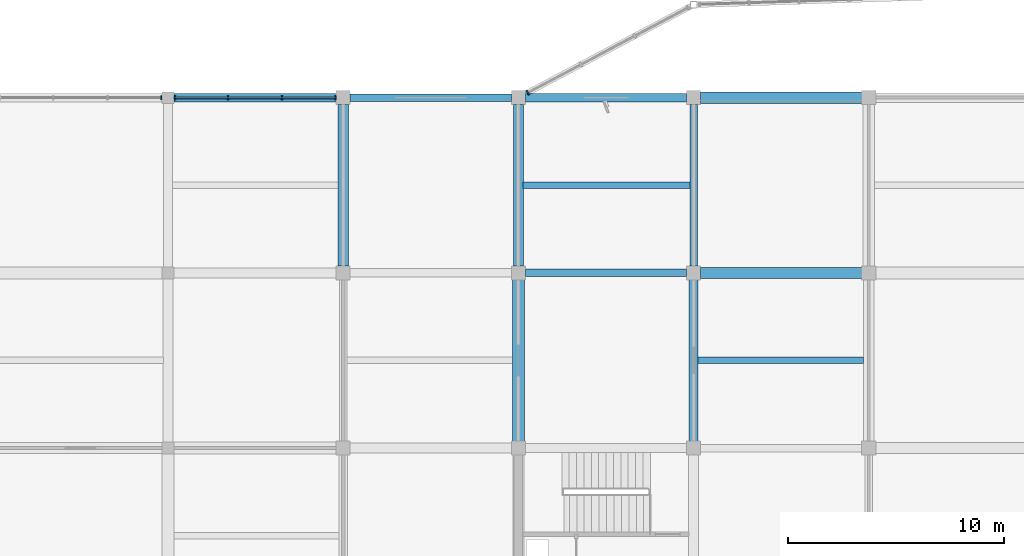
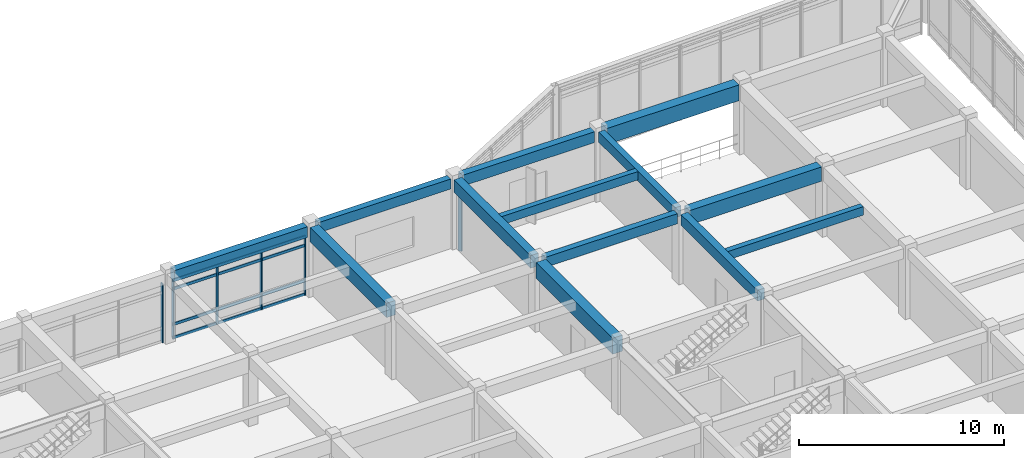
# One storey, part 19 of 42: 13 beams, 10 members, 3 elements without a shape of their own.
"""IFC4 building model written with IfcOpenShell, lengths in metres."""

from ifc_helpers import new_model, si_unit, direction, frame, origin, origin_2d, place, context, subcontext, project, spatial, rectangle, extrude, material, layer, layer_set, material_profile, profile_set, type_object, element, aggregate, save


model = new_model("IFC4")

# Units and contexts
model_context = context("Model", 3, precision=1e-05, world=origin(), true_north=direction((0.0, 1.0)))
body_context = subcontext(model_context, "Body", "Model", "MODEL_VIEW")
ifc_project = project(units=[si_unit("LENGTHUNIT", "METRE"), si_unit("AREAUNIT", "SQUARE_METRE"), si_unit("VOLUMEUNIT", "CUBIC_METRE"), si_unit("PLANEANGLEUNIT", "RADIAN"), si_unit("MASSUNIT", "GRAM", prefix="KILO")], contexts=[model_context])

# Site, building, storey
site_placement = place(None, origin())
site = spatial("IfcSite", under=ifc_project, at=site_placement, CompositionType="ELEMENT")
building_placement = place(site_placement, origin())
building = spatial("IfcBuilding", under=site, at=building_placement, Name="Vaudrelin Polytechnic", CompositionType="ELEMENT")
storey_placement = place(building_placement, frame((0.0, 0.0, 18.530029296875)))
storey = spatial("IfcBuildingStorey", under=building, at=storey_placement, Name="L04", CompositionType="ELEMENT", Elevation=18.530029296875)

# Beams
ifc_material_1 = material(Name="Concrete 40 MPa", Category="concrete")
ifc_material_profile_1 = material_profile(ifc_material_1, rectangle(XDim=0.35009765625, YDim=0.60009765625, at=origin_2d()), Name="RC350x600")
ifc_profile_set_1 = profile_set([ifc_material_profile_1], Name="Concrete 40 MPa")
beam_type_1 = type_object("IfcBeamType", Name="BM-BM-RC3560", PredefinedType="BEAM", material=ifc_profile_set_1)
beam_1_placement = place(storey_placement, frame((153.89990234375, 113.7099609375, 3.85986328125), z_axis=(0.0, 1.0, 0.0), x_axis=(-1.0, 0.0, 0.0)))
element("IfcBeam", 1, at=beam_1_placement, inside=storey, type_object=beam_type_1, Name="L04 Y-beam 20-15", PredefinedType="BEAM", context=body_context, shape_type="SweptSolid", body=[
    extrude(rectangle(XDim=0.35009765625, YDim=0.60009765625, at=origin_2d()), origin(), (0.0, 0.0, 1.0), 7.47998046875),
])
for number, where, z_axis, x_axis, name in (
    (2, (138.02099609375, 121.5, 3.85986328125), (1.0, 0.0, 0.0), (0.0, 1.0, 0.0), "L04 X-beam 18-16"),
    (3, (146.12109375, 113.39990234375, 3.85986328125), (1.0, 0.0, 0.0), (0.0, 1.0, 0.0), "L04 X-beam 19-15"),
):
    element("IfcBeam", number, at=place(storey_placement, frame(where, z_axis=z_axis, x_axis=x_axis)), inside=storey, type_object=beam_type_1, Name=name, PredefinedType="BEAM", context=body_context, shape_type="SweptSolid", body=[
        extrude(rectangle(XDim=0.35009765625, YDim=0.60009765625, at=origin_2d()), origin(), (0.0, 0.0, 1.0), 7.4580078125),
    ])
ifc_material_profile_2 = material_profile(ifc_material_1, rectangle(XDim=0.39990234375, YDim=0.64990234375, at=origin_2d()), Name="RC400x650")
ifc_profile_set_2 = profile_set([ifc_material_profile_2], Name="Concrete 40 MPa")
beam_type_2 = type_object("IfcBeamType", Name="BM-BM-RC4065", PredefinedType="BEAM", material=ifc_profile_set_2)
beam_2_placement = place(storey_placement, frame((153.89990234375, 105.610107421875, 3.8349609375), z_axis=(0.0, 1.0, 0.0), x_axis=(-1.0, 0.0, 0.0)))
element("IfcBeam", 4, at=beam_2_placement, inside=storey, type_object=beam_type_2, Name="L04 Y-beam 20-14", PredefinedType="BEAM", context=body_context, shape_type="SweptSolid", body=[
    extrude(rectangle(XDim=0.39990234375, YDim=0.64990234375, at=origin_2d()), origin(), (0.0, 0.0, 1.0), 7.47998046875),
])
beam_3_placement = place(storey_placement, frame((129.87109375, 121.5, 3.8349609375), z_axis=(1.0, 0.0, 0.0), x_axis=(0.0, 1.0, 0.0)))
element("IfcBeam", 5, at=beam_3_placement, inside=storey, type_object=beam_type_2, Name="L04 X-beam 17-16", PredefinedType="BEAM", context=body_context, shape_type="SweptSolid", body=[
    extrude(rectangle(XDim=0.39990234375, YDim=0.64990234375, at=origin_2d()), origin(), (0.0, 0.0, 1.0), 7.5078125),
])
ifc_material_profile_3 = material_profile(ifc_material_1, rectangle(XDim=0.449951171875, YDim=0.75, at=origin_2d()), Name="RC450x750")
ifc_profile_set_3 = profile_set([ifc_material_profile_3], Name="Concrete 40 MPa")
beam_type_3 = type_object("IfcBeamType", Name="BM-BM-RC4575", PredefinedType="BEAM", material=ifc_profile_set_3)
beam_4_placement = place(storey_placement, frame((145.800048828125, 113.7099609375, 3.784912109375), z_axis=(0.0, 1.0, 0.0), x_axis=(-1.0, 0.0, 0.0)))
element("IfcBeam", 6, at=beam_4_placement, inside=storey, type_object=beam_type_3, Name="L04 Y-beam 19-15", PredefinedType="BEAM", context=body_context, shape_type="SweptSolid", body=[
    extrude(rectangle(XDim=0.449951171875, YDim=0.75, at=origin_2d()), origin(), (0.0, 0.0, 1.0), 7.47998046875),
])
ifc_material_profile_4 = material_profile(ifc_material_1, rectangle(XDim=0.5, YDim=0.85009765625, at=origin_2d()), Name="RC500x850")
ifc_profile_set_4 = profile_set([ifc_material_profile_4], Name="Concrete 40 MPa")
beam_type_4 = type_object("IfcBeamType", Name="BM-BM-RC5085", PredefinedType="BEAM", material=ifc_profile_set_4)
beam_5_placement = place(storey_placement, frame((137.699951171875, 113.7099609375, 3.73486328125), z_axis=(0.0, 1.0, 0.0), x_axis=(-1.0, 0.0, 0.0)))
element("IfcBeam", 7, at=beam_5_placement, inside=storey, type_object=beam_type_4, Name="L04 Y-beam 18-15", PredefinedType="BEAM", context=body_context, shape_type="SweptSolid", body=[
    extrude(rectangle(XDim=0.5, YDim=0.85009765625, at=origin_2d()), origin(), (0.0, 0.0, 1.0), 7.47998046875),
])
beam_6_placement = place(storey_placement, frame((154.220947265625, 113.39990234375, 3.73486328125), z_axis=(1.0, 0.0, 0.0), x_axis=(0.0, 1.0, 0.0)))
element("IfcBeam", 8, at=beam_6_placement, inside=storey, type_object=beam_type_4, Name="L04 X-beam 20-15", PredefinedType="BEAM", context=body_context, shape_type="SweptSolid", body=[
    extrude(rectangle(XDim=0.5, YDim=0.85009765625, at=origin_2d()), origin(), (0.0, 0.0, 1.0), 7.4580078125),
])
ifc_material_2 = material(Name="Concrete 50 MPa", Category="concrete")
ifc_material_profile_5 = material_profile(ifc_material_2, rectangle(XDim=0.550048828125, YDim=0.949951171875, at=origin_2d()), Name="RC550x950")
ifc_profile_set_5 = profile_set([ifc_material_profile_5], Name="Concrete 50 MPa")
beam_type_5 = type_object("IfcBeamType", Name="BM-BM-RC5595", PredefinedType="BEAM", material=ifc_profile_set_5)
beam_7_placement = place(storey_placement, frame((145.800048828125, 105.610107421875, 3.68505859375), z_axis=(0.0, 1.0, 0.0), x_axis=(-1.0, 0.0, 0.0)))
element("IfcBeam", 9, at=beam_7_placement, inside=storey, type_object=beam_type_5, Name="L04 Y-beam 19-14", PredefinedType="BEAM", context=body_context, shape_type="SweptSolid", body=[
    extrude(rectangle(XDim=0.550048828125, YDim=0.949951171875, at=origin_2d()), origin(), (0.0, 0.0, 1.0), 7.47998046875),
])
beam_8_placement = place(storey_placement, frame((154.220947265625, 121.5, 3.68505859375), z_axis=(1.0, 0.0, 0.0), x_axis=(0.0, 1.0, 0.0)))
element("IfcBeam", 10, at=beam_8_placement, inside=storey, type_object=beam_type_5, Name="L04 X-beam 20-16", PredefinedType="BEAM", context=body_context, shape_type="SweptSolid", body=[
    extrude(rectangle(XDim=0.550048828125, YDim=0.949951171875, at=origin_2d()), origin(), (0.0, 0.0, 1.0), 7.4580078125),
])
ifc_material_profile_6 = material_profile(ifc_material_1, rectangle(XDim=0.300048828125, YDim=0.5, at=origin_2d()), Name="RC300x500")
ifc_profile_set_6 = profile_set([ifc_material_profile_6], Name="Concrete 40 MPa")
beam_type_6 = type_object("IfcBeamType", Name="BM-JS-RC3050", PredefinedType="JOIST", material=ifc_profile_set_6)
beam_9_placement = place(storey_placement, frame((146.02099609375, 117.449951171875, 3.909912109375), z_axis=(1.0, 0.0, 0.0), x_axis=(0.0, 1.0, 0.0)))
element("IfcBeam", 11, at=beam_9_placement, inside=storey, type_object=beam_type_6, Name="L04 floor joist 19-15", PredefinedType="JOIST", context=body_context, shape_type="SweptSolid", body=[
    extrude(rectangle(XDim=0.300048828125, YDim=0.5, at=origin_2d()), origin(), (0.0, 0.0, 1.0), 7.7080078125),
])
beam_10_placement = place(storey_placement, frame((154.095947265625, 109.35009765625, 3.909912109375), z_axis=(1.0, 0.0, 0.0), x_axis=(0.0, 1.0, 0.0)))
element("IfcBeam", 12, at=beam_10_placement, inside=storey, type_object=beam_type_6, Name="L04 floor joist 20-14", PredefinedType="JOIST", context=body_context, shape_type="SweptSolid", body=[
    extrude(rectangle(XDim=0.300048828125, YDim=0.5, at=origin_2d()), origin(), (0.0, 0.0, 1.0), 7.657958984375),
])
ifc_material_profile_7 = material_profile(ifc_material_1, rectangle(XDim=0.39990234375, YDim=0.64990234375, at=origin_2d()), Name="RC400x650")
ifc_profile_set_7 = profile_set([ifc_material_profile_7], Name="Concrete 40 MPa")
beam_type_7 = type_object("IfcBeamType", Name="BM-SP-RC4065", PredefinedType="SPANDREL", material=ifc_profile_set_7)
beam_11_placement = place(storey_placement, frame((146.12109375, 121.5, 3.8349609375), z_axis=(1.0, 0.0, 0.0), x_axis=(0.0, 1.0, 0.0)))
element("IfcBeam", 13, at=beam_11_placement, inside=storey, type_object=beam_type_7, Name="L04 X-beam 19-16", PredefinedType="SPANDREL", context=body_context, shape_type="SweptSolid", body=[
    extrude(rectangle(XDim=0.39990234375, YDim=0.64990234375, at=origin_2d()), origin(), (0.0, 0.0, 1.0), 7.4580078125),
])

# Curtain wall, member
ifc_material_3 = material(Name="Thermally broken anodised aluminium AA 6063-T6 and low-e triple glazing", Category="aluminium")
ifc_layer_1 = layer(ifc_material_3, 0.199951171875)
ifc_layer_set_1 = layer_set([ifc_layer_1], Name="Thermally broken anodised aluminium AA 6063-T6 and low-e triple glazing")
curtain_wall_type_1 = type_object("IfcCurtainWallType", Name="CW-CW-STU", PredefinedType="USERDEFINED", material=ifc_layer_set_1)
curtain_wall_1_placement = place(storey_placement, origin())
curtain_wall_1 = element("IfcCurtainWall", 14, at=curtain_wall_1_placement, inside=storey, type_object=curtain_wall_type_1, Name="Curtain wall L04 N_V5_15", ObjectType="CURTAIN WALL", PredefinedType="USERDEFINED")
ifc_material_4 = material(Name="Anodised aluminium AA 6063-T6", Category="aluminium")
ifc_material_profile_8 = material_profile(ifc_material_4, rectangle(XDim=0.06494140625, YDim=0.179931640625, at=origin_2d()), Name="CWM-65x180")
ifc_profile_set_8 = profile_set([ifc_material_profile_8], Name="Anodised aluminium AA 6063-T6")
member_type_1 = type_object("IfcMemberType", Name="MEM-CWM-180", PredefinedType="MULLION", material=ifc_profile_set_8)
member_1_placement = place(storey_placement, frame((129.287109375, 121.5, 0.0), z_axis=(0.0, 0.0, 1.0), x_axis=(1.0, 0.0, 0.0)))
member_1 = element("IfcMember", 15, at=member_1_placement, type_object=member_type_1, Name="N_V5_15 mullion 4", PredefinedType="MULLION", context=body_context, shape_type="SweptSolid", body=[
    extrude(rectangle(XDim=0.06494140625, YDim=0.179931640625, at=origin_2d()), origin(), (0.0, 0.0, 1.0), 3.511962890625),
])
aggregate(curtain_wall_1, [member_1])

# Curtain wall, members
curtain_wall_2_placement = place(storey_placement, origin())
curtain_wall_2 = element("IfcCurtainWall", 16, at=curtain_wall_2_placement, inside=storey, type_object=curtain_wall_type_1, Name="Curtain wall L04 N_V5_16", ObjectType="CURTAIN WALL", PredefinedType="USERDEFINED")
member_2_placement = place(storey_placement, frame((129.9130859375, 121.5, 0.0), z_axis=(0.0, 0.0, 1.0), x_axis=(1.0, 0.0, 0.0)))
member_2 = element("IfcMember", 17, at=member_2_placement, type_object=member_type_1, Name="N_V5_16 mullion 1", PredefinedType="MULLION", context=body_context, shape_type="SweptSolid", body=[
    extrude(rectangle(XDim=0.06494140625, YDim=0.179931640625, at=origin_2d()), origin(), (0.0, 0.0, 1.0), 3.511962890625),
])
member_3_placement = place(storey_placement, frame((132.374267578125, 121.5, 0.0), z_axis=(0.0, 0.0, 1.0), x_axis=(1.0, 0.0, 0.0)))
member_3 = element("IfcMember", 18, at=member_3_placement, type_object=member_type_1, Name="N_V5_16 mullion 2", PredefinedType="MULLION", context=body_context, shape_type="SweptSolid", body=[
    extrude(rectangle(XDim=0.06494140625, YDim=0.179931640625, at=origin_2d()), origin(), (0.0, 0.0, 1.0), 3.511962890625),
])
member_4_placement = place(storey_placement, frame((134.875732421875, 121.5, 0.0), z_axis=(0.0, 0.0, 1.0), x_axis=(1.0, 0.0, 0.0)))
member_4 = element("IfcMember", 19, at=member_4_placement, type_object=member_type_1, Name="N_V5_16 mullion 3", PredefinedType="MULLION", context=body_context, shape_type="SweptSolid", body=[
    extrude(rectangle(XDim=0.06494140625, YDim=0.179931640625, at=origin_2d()), origin(), (0.0, 0.0, 1.0), 3.511962890625),
])
member_5_placement = place(storey_placement, frame((137.3369140625, 121.5, 0.0), z_axis=(0.0, 0.0, 1.0), x_axis=(1.0, 0.0, 0.0)))
member_5 = element("IfcMember", 20, at=member_5_placement, type_object=member_type_1, Name="N_V5_16 mullion 4", PredefinedType="MULLION", context=body_context, shape_type="SweptSolid", body=[
    extrude(rectangle(XDim=0.06494140625, YDim=0.179931640625, at=origin_2d()), origin(), (0.0, 0.0, 1.0), 3.511962890625),
])

# Curtain wall, member
ifc_layer_2 = layer(ifc_material_3, 0.199951171875)
ifc_layer_set_2 = layer_set([ifc_layer_2], Name="Thermally broken anodised aluminium AA 6063-T6 and low-e triple glazing")
curtain_wall_type_2 = type_object("IfcCurtainWallType", Name="CW-CW-LAB", PredefinedType="USERDEFINED", material=ifc_layer_set_2)
curtain_wall_3_placement = place(storey_placement, origin())
curtain_wall_3 = element("IfcCurtainWall", 21, at=curtain_wall_3_placement, inside=storey, type_object=curtain_wall_type_2, Name="Curtain wall L04 NEP_1_0", ObjectType="CURTAIN WALL", PredefinedType="USERDEFINED")
ifc_material_profile_9 = material_profile(ifc_material_4, rectangle(XDim=0.074951171875, YDim=0.219970703125, at=origin_2d()), Name="CWM-75x220")
ifc_profile_set_9 = profile_set([ifc_material_profile_9], Name="Anodised aluminium AA 6063-T6")
member_type_2 = type_object("IfcMemberType", Name="MEM-CWM-220", PredefinedType="MULLION", material=ifc_profile_set_9)
member_6_placement = place(storey_placement, frame((146.2353515625, 121.731201171875, -0.630126953125), z_axis=(0.0, 0.0, 1.0), x_axis=(0.883255715395, 0.468891609246, 0.0)))
member_6 = element("IfcMember", 22, at=member_6_placement, type_object=member_type_2, Name="NEP_1_0 mullion 1", PredefinedType="MULLION", context=body_context, shape_type="SweptSolid", body=[
    extrude(rectangle(XDim=0.074951171875, YDim=0.219970703125, at=origin_2d()), origin(), (0.0, 0.0, 1.0), 4.440185546875),
])
aggregate(curtain_wall_3, [member_6])

# Member
ifc_material_profile_10 = material_profile(ifc_material_4, rectangle(XDim=0.074951171875, YDim=0.1650390625, at=origin_2d()), Name="CWT-75x165")
ifc_profile_set_10 = profile_set([ifc_material_profile_10], Name="Anodised aluminium AA 6063-T6")
member_type_3 = type_object("IfcMemberType", Name="MEM-CWT-165", PredefinedType="USERDEFINED", material=ifc_profile_set_10)
member_7_placement = place(storey_placement, frame((129.873046875, 121.5, 0.050048828125), z_axis=(1.0, 0.0, 0.0), x_axis=(0.0, 1.0, 0.0)))
member_7 = element("IfcMember", 23, at=member_7_placement, type_object=member_type_3, Name="N_V5_16 transom 1", ObjectType="TRANSOM", PredefinedType="USERDEFINED", context=body_context, shape_type="SweptSolid", body=[
    extrude(rectangle(XDim=0.074951171875, YDim=0.1650390625, at=origin_2d()), origin(), (0.0, 0.0, 1.0), 7.50390625),
])

member_8_placement = place(storey_placement, frame((129.873046875, 121.5, 0.849853515625), z_axis=(1.0, 0.0, 0.0), x_axis=(0.0, 1.0, 0.0)))
member_8 = element("IfcMember", 24, at=member_8_placement, type_object=member_type_3, Name="N_V5_16 transom 2", ObjectType="TRANSOM", PredefinedType="USERDEFINED", context=body_context, shape_type="SweptSolid", body=[
    extrude(rectangle(XDim=0.074951171875, YDim=0.1650390625, at=origin_2d()), origin(), (0.0, 0.0, 1.0), 7.50390625),
])

member_9_placement = place(storey_placement, frame((129.873046875, 121.5, 2.9619140625), z_axis=(1.0, 0.0, 0.0), x_axis=(0.0, 1.0, 0.0)))
member_9 = element("IfcMember", 25, at=member_9_placement, type_object=member_type_3, Name="N_V5_16 transom 3", ObjectType="TRANSOM", PredefinedType="USERDEFINED", context=body_context, shape_type="SweptSolid", body=[
    extrude(rectangle(XDim=0.074951171875, YDim=0.1650390625, at=origin_2d()), origin(), (0.0, 0.0, 1.0), 7.50390625),
])

member_10_placement = place(storey_placement, frame((129.873046875, 121.5, 3.4619140625), z_axis=(1.0, 0.0, 0.0), x_axis=(0.0, 1.0, 0.0)))
member_10 = element("IfcMember", 26, at=member_10_placement, type_object=member_type_3, Name="N_V5_16 transom 4", ObjectType="TRANSOM", PredefinedType="USERDEFINED", context=body_context, shape_type="SweptSolid", body=[
    extrude(rectangle(XDim=0.074951171875, YDim=0.1650390625, at=origin_2d()), origin(), (0.0, 0.0, 1.0), 7.50390625),
])

aggregate(curtain_wall_2, [member_2, member_3, member_4, member_5, member_7, member_8, member_9, member_10])

save(model, "model.ifc")
